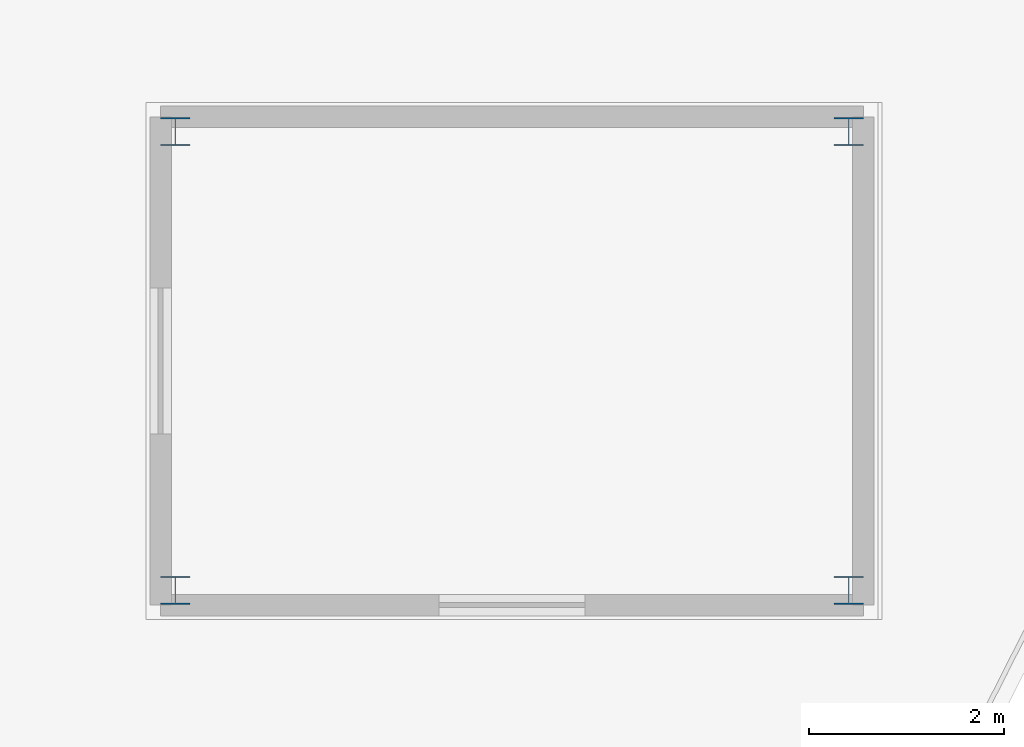
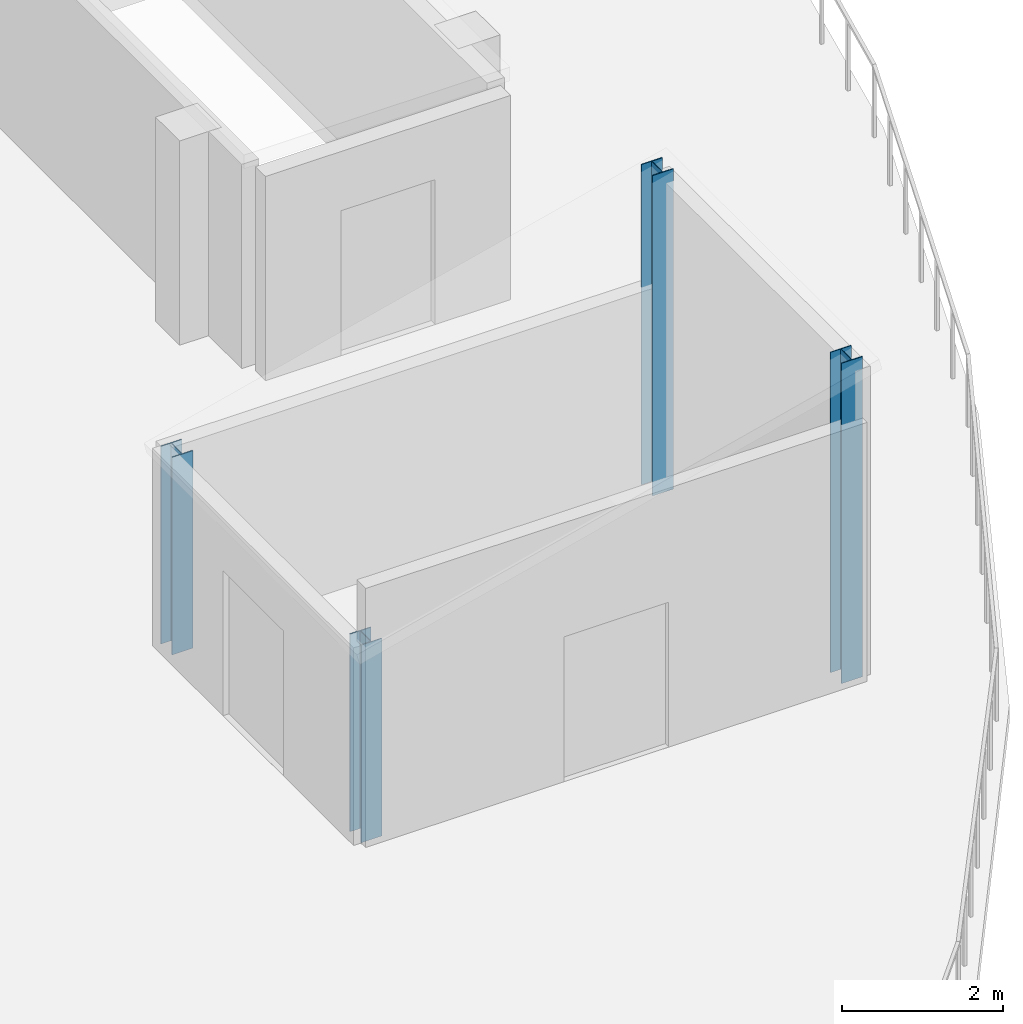
# One storey, part 2 of 29: 4 columns.
"""IFC4 building model written with IfcOpenShell, lengths in metres."""

from ifc_helpers import new_model, si_unit, direction, frame, origin, origin_2d, place, context, subcontext, project, spatial, i_section, extrude, material, material_profile, profile_set, type_object, element, save


model = new_model("IFC4")

# Units and contexts
model_context = context("Model", 3, precision=1e-05, world=origin(), true_north=direction((0.0, 1.0)))
body_context = subcontext(model_context, "Body", "Model", "MODEL_VIEW")
ifc_project = project(units=[si_unit("LENGTHUNIT", "METRE"), si_unit("AREAUNIT", "SQUARE_METRE"), si_unit("VOLUMEUNIT", "CUBIC_METRE"), si_unit("PLANEANGLEUNIT", "RADIAN"), si_unit("MASSUNIT", "GRAM", prefix="KILO")], contexts=[model_context])

# Site, building, storey
site_placement = place(None, origin())
site = spatial("IfcSite", under=ifc_project, at=site_placement, CompositionType="ELEMENT")
building_placement = place(site_placement, origin())
building = spatial("IfcBuilding", under=site, at=building_placement, Name="Saryqyr Civic Hall", CompositionType="ELEMENT")
storey_placement = place(building_placement, frame((0.0, 0.0, 25.35009765625)))
storey = spatial("IfcBuildingStorey", under=building, at=storey_placement, Name="L06", CompositionType="ELEMENT", Elevation=25.35009765625)

# Columns
ifc_material = material(Name="Steel S355", Category="steel")
ifc_material_profile = material_profile(ifc_material, i_section(OverallWidth=0.300048828125, OverallDepth=0.2900390625, WebThickness=0.008544921875, FlangeThickness=0.013916015625, at=origin_2d()), Name="HEA 300")
ifc_profile_set = profile_set([ifc_material_profile], Name="Steel S355")
column_type = type_object("IfcColumnType", Name="STR-COL-HEA300-S355", PredefinedType="COLUMN", material=ifc_profile_set)
column_1_placement = place(storey_placement, frame((91.550048828125, 60.64990234375, 0.0), z_axis=(0.0, 0.0, 1.0), x_axis=(1.0, 0.0, 0.0)))
element("IfcColumn", 1, at=column_1_placement, inside=storey, type_object=column_type, Name="Column RGV5-COL-1-L06", PredefinedType="COLUMN", context=body_context, shape_type="SweptSolid", body=[
    extrude(i_section(OverallWidth=0.300048828125, OverallDepth=0.2900390625, WebThickness=0.008544921875, FlangeThickness=0.013916015625, at=origin_2d()), origin(), (0.0, 0.0, 1.0), 3.0),
])
for number, where, z_axis, x_axis, name in (
    (2, (98.449951171875, 60.64990234375, 0.0), (0.0, 0.0, 1.0), (1.0, 0.0, 0.0), "Column RGV5-COL-2-L06"),
    (3, (98.449951171875, 65.35009765625, 0.0), (0.0, 0.0, 1.0), (1.0, 0.0, 0.0), "Column RGV5-COL-3-L06"),
):
    element("IfcColumn", number, at=place(storey_placement, frame(where, z_axis=z_axis, x_axis=x_axis)), inside=storey, type_object=column_type, Name=name, PredefinedType="COLUMN", context=body_context, shape_type="SweptSolid", body=[
        extrude(i_section(OverallWidth=0.300048828125, OverallDepth=0.2900390625, WebThickness=0.008544921875, FlangeThickness=0.013916015625, at=origin_2d()), origin(), (0.0, 0.0, 1.0), 4.86181640625),
    ])
column_2_placement = place(storey_placement, frame((91.550048828125, 65.35009765625, 0.0), z_axis=(0.0, 0.0, 1.0), x_axis=(1.0, 0.0, 0.0)))
element("IfcColumn", 4, at=column_2_placement, inside=storey, type_object=column_type, Name="Column RGV5-COL-4-L06", PredefinedType="COLUMN", context=body_context, shape_type="SweptSolid", body=[
    extrude(i_section(OverallWidth=0.300048828125, OverallDepth=0.2900390625, WebThickness=0.008544921875, FlangeThickness=0.013916015625, at=origin_2d()), origin(), (0.0, 0.0, 1.0), 3.0),
])

save(model, "model.ifc")
